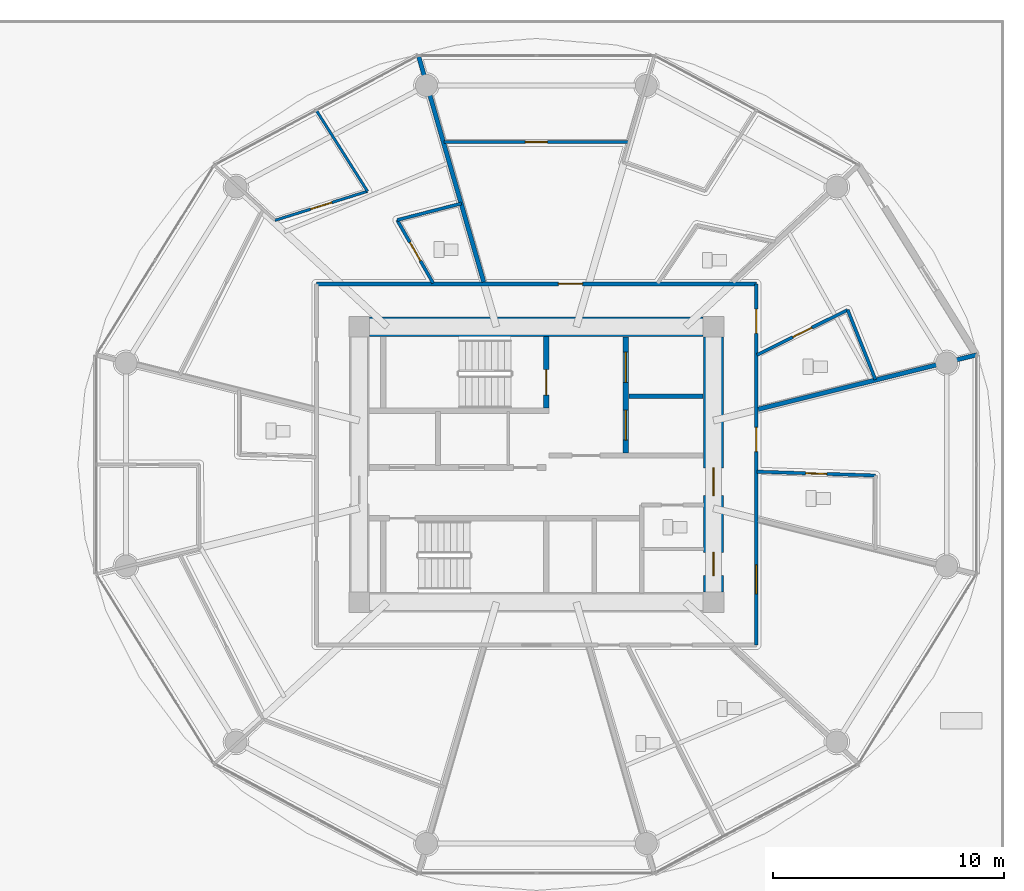
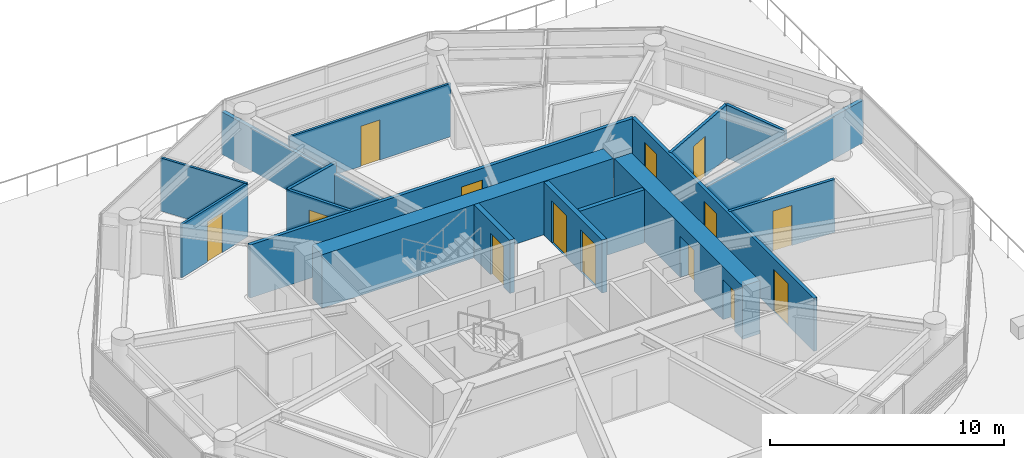
# One storey, part 19 of 32: 17 walls, 14 doors, 14 openings.
"""IFC4 building model written with IfcOpenShell, lengths in metres."""

from ifc_helpers import new_model, si_unit, direction, frame, frame_2d, origin, place, context, subcontext, project, spatial, rectangle, extrude, source, transform, mapped, material, layer, layer_set, type_object, type_shapes, element, fill, save


model = new_model("IFC4")

# Units and contexts
model_context = context("Model", 3, precision=1e-05, world=origin(), true_north=direction((0.0, 1.0)))
body_context = subcontext(model_context, "Body", "Model", "MODEL_VIEW")
ifc_project = project(units=[si_unit("LENGTHUNIT", "METRE"), si_unit("AREAUNIT", "SQUARE_METRE"), si_unit("VOLUMEUNIT", "CUBIC_METRE"), si_unit("PLANEANGLEUNIT", "RADIAN"), si_unit("MASSUNIT", "GRAM", prefix="KILO")], contexts=[model_context])

# Site, building, storey
site_placement = place(None, origin())
site = spatial("IfcSite", under=ifc_project, at=site_placement, CompositionType="ELEMENT")
building_placement = place(site_placement, origin())
building = spatial("IfcBuilding", under=site, at=building_placement, Name="Norrkilde Senior Care Towers", CompositionType="ELEMENT")
storey_placement = place(building_placement, frame((0.0, 0.0, 21.60009765625)))
storey = spatial("IfcBuildingStorey", under=building, at=storey_placement, Name="L05", CompositionType="ELEMENT", Elevation=21.60009765625)

# Wall
ifc_material_1 = material(Name="Concrete C60/75", Category="concrete")
ifc_layer_1 = layer(ifc_material_1, 0.85009765625)
ifc_layer_set_1 = layer_set([ifc_layer_1], Name="Concrete C60/75")
wall_type_1 = type_object("IfcWallType", Name="Core Shear Wall Z1 850", PredefinedType="SHEAR", material=ifc_layer_set_1)
shared_shape_1 = source(origin(), body_context, "Body", "SweptSolid", [
    extrude(rectangle(XDim=14.39990234375, YDim=0.85009765625, at=frame_2d((7.199951171875, 0.0))), origin(), (0.0, 0.0, 1.0), 2.789794921875),
])
wall_1_placement = place(storey_placement, frame((20.800048828125, 5.949951171875, 0.0), z_axis=(0.0, 0.0, 1.0), x_axis=(1.0, 0.0, 0.0)))
element("IfcWall", 1, at=wall_1_placement, inside=storey, type_object=wall_type_1, Name="L05 Core E North Shear Wall", PredefinedType="SHEAR", context=body_context, shape_type="MappedRepresentation", body=[
    mapped(shared_shape_1, transform((0.0, 0.0, 0.0), x_axis=(1.0, 0.0, 0.0), y_axis=(0.0, 1.0, 0.0), z_axis=(0.0, 0.0, 1.0), scale=1.0)),
])

# Wall, openings, doors
shared_shape_2 = source(origin(), body_context, "Body", "SweptSolid", [
    extrude(rectangle(XDim=11.0, YDim=0.85009765625, at=frame_2d((5.5, 0.0))), origin(), (0.0, 0.0, 1.0), 2.789794921875),
])
type_shapes(wall_type_1, [shared_shape_1, shared_shape_2])
wall_2_placement = place(storey_placement, frame((35.64990234375, 5.5, 0.0), z_axis=(0.0, 0.0, 1.0), x_axis=(0.0, -1.0, 0.0)))
wall_2 = element("IfcWall", 2, at=wall_2_placement, inside=storey, type_object=wall_type_1, Name="L05 Core E East Shear Wall", PredefinedType="SHEAR", context=body_context, shape_type="MappedRepresentation", body=[
    mapped(shared_shape_2, transform((0.0, 0.0, 0.0), x_axis=(1.0, 0.0, 0.0), y_axis=(0.0, 1.0, 0.0), z_axis=(0.0, 0.0, 1.0), scale=1.0)),
])
opening_1_placement = place(wall_2_placement, frame((5.64990234375, 0.0, 0.0)))
opening_1 = element("IfcOpeningElement", 3, at=opening_1_placement, cuts=wall_2, Name="Opening D-04", PredefinedType="OPENING", context=body_context, shape_type="SweptSolid", body=[
    extrude(rectangle(XDim=1.199951171875, YDim=2.14990234375, at=frame_2d((0.60009765625, 1.074951171875))), frame((0.0, 0.43505859375, 0.0), z_axis=(0.0, -1.0, 0.0), x_axis=(1.0, 0.0, 0.0)), (0.0, 0.0, 1.0), 0.8701171875),
])
opening_2_placement = place(wall_2_placement, frame((9.300048828125, 0.0, 0.0)))
opening_2 = element("IfcOpeningElement", 4, at=opening_2_placement, cuts=wall_2, Name="Opening D-10", PredefinedType="OPENING", context=body_context, shape_type="SweptSolid", body=[
    extrude(rectangle(XDim=1.0, YDim=2.10009765625, at=frame_2d((0.5, 1.050048828125))), frame((0.0, 0.43505859375, 0.0), z_axis=(0.0, -1.0, 0.0), x_axis=(1.0, 0.0, 0.0)), (0.0, 0.0, 1.0), 0.8701171875),
])
ifc_material_2 = material(Name="Galvanised Painted Steel", Category="steel")
door_type_1 = type_object("IfcDoorType", Name="Firefighting Lobby Fire Door 1200x2150", OperationType="NOTDEFINED", PredefinedType="DOOR", material=ifc_material_2)
shared_shape_3 = source(origin(), body_context, "Body", "SweptSolid", [
    extrude(rectangle(XDim=1.199951171875, YDim=2.14990234375, at=frame_2d((0.60009765625, 1.074951171875))), frame((0.0, 0.02490234375, 0.0), z_axis=(0.0, -1.0, 0.0), x_axis=(1.0, 0.0, 0.0)), (0.0, 0.0, 1.0), 0.050048828125),
])
type_shapes(door_type_1, [shared_shape_3])
door_1_placement = place(opening_1_placement, frame((1.199951171875, 0.0, 0.0), z_axis=(0.0, 0.0, 1.0), x_axis=(-1.0, 0.0, 0.0)))
door_1 = element("IfcDoor", 5, at=door_1_placement, inside=storey, type_object=door_type_1, Name="L05 Core E East Portal Door", OperationType="SINGLE_SWING_RIGHT", OverallHeight=2.14990234375, OverallWidth=1.199951171875, PredefinedType="DOOR", context=body_context, shape_type="MappedRepresentation", body=[
    mapped(shared_shape_3, transform((0.0, 0.0, 0.0), x_axis=(1.0, 0.0, 0.0), y_axis=(0.0, 1.0, 0.0), z_axis=(0.0, 0.0, 1.0), scale=1.0)),
])
fill(opening_1, door_1)
door_type_2 = type_object("IfcDoorType", Name="Plant and Riser Rated Door 1000x2100", OperationType="NOTDEFINED", PredefinedType="DOOR", material=ifc_material_2)
shared_shape_4 = source(origin(), body_context, "Body", "SweptSolid", [
    extrude(rectangle(XDim=1.0, YDim=2.10009765625, at=frame_2d((0.5, 1.050048828125))), frame((0.0, 0.02490234375, 0.0), z_axis=(0.0, -1.0, 0.0), x_axis=(1.0, 0.0, 0.0)), (0.0, 0.0, 1.0), 0.050048828125),
])
type_shapes(door_type_2, [shared_shape_4])
door_2_placement = place(opening_2_placement, frame((1.0, 0.0, 0.0), z_axis=(0.0, 0.0, 1.0), x_axis=(-1.0, 0.0, 0.0)))
door_2 = element("IfcDoor", 6, at=door_2_placement, inside=storey, type_object=door_type_2, Name="L05 Ventilation Riser E Door", OperationType="SINGLE_SWING_RIGHT", OverallHeight=2.10009765625, OverallWidth=1.0, PredefinedType="DOOR", context=body_context, shape_type="MappedRepresentation", body=[
    mapped(shared_shape_4, transform((0.0, 0.0, 0.0), x_axis=(1.0, 0.0, 0.0), y_axis=(0.0, 1.0, 0.0), z_axis=(0.0, 0.0, 1.0), scale=1.0)),
])
fill(opening_2, door_2)

# Wall, opening, door
ifc_material_3 = material(Name="Concrete C45/55", Category="concrete")
ifc_layer_2 = layer(ifc_material_3, 0.239990234375)
ifc_layer_set_2 = layer_set([ifc_layer_2], Name="Concrete C45/55")
wall_type_2 = type_object("IfcWallType", Name="Shaft and Stair Enclosure Wall 240", PredefinedType="PARTITIONING", material=ifc_layer_set_2)
shared_shape_5 = source(origin(), body_context, "Body", "SweptSolid", [
    extrude(rectangle(XDim=3.074951171875, YDim=0.239990234375, at=frame_2d((1.53759765625, 0.0))), origin(), (0.0, 0.0, 1.0), 2.789794921875),
])
type_shapes(wall_type_2, [shared_shape_5])
wall_3_placement = place(storey_placement, frame((28.419921875, 2.449951171875, 0.0), z_axis=(0.0, 0.0, 1.0), x_axis=(0.0, 1.0, 0.0)))
wall_3 = element("IfcWall", 7, at=wall_3_placement, inside=storey, type_object=wall_type_2, Name="WL-INT-L05-E-ST1E", PredefinedType="PARTITIONING", context=body_context, shape_type="MappedRepresentation", body=[
    mapped(shared_shape_5, transform((0.0, 0.0, 0.0), x_axis=(1.0, 0.0, 0.0), y_axis=(0.0, 1.0, 0.0), z_axis=(0.0, 0.0, 1.0), scale=1.0)),
])
opening_3_placement = place(wall_3_placement, frame((0.550048828125, 0.0, 0.0)))
opening_3 = element("IfcOpeningElement", 8, at=opening_3_placement, cuts=wall_3, Name="Opening D-03", PredefinedType="OPENING", context=body_context, shape_type="SweptSolid", body=[
    extrude(rectangle(XDim=1.10009765625, YDim=2.14990234375, at=frame_2d((0.550048828125, 1.074951171875))), frame((0.0, 0.1298828125, 0.0), z_axis=(0.0, -1.0, 0.0), x_axis=(1.0, 0.0, 0.0)), (0.0, 0.0, 1.0), 0.260009765625),
])
door_type_3 = type_object("IfcDoorType", Name="Stairwell Protected Fire Door 1100x2150", OperationType="NOTDEFINED", PredefinedType="DOOR", material=ifc_material_2)
shared_shape_6 = source(origin(), body_context, "Body", "SweptSolid", [
    extrude(rectangle(XDim=1.10009765625, YDim=2.14990234375, at=frame_2d((0.550048828125, 1.074951171875))), frame((0.0, 0.02490234375, 0.0), z_axis=(0.0, -1.0, 0.0), x_axis=(1.0, 0.0, 0.0)), (0.0, 0.0, 1.0), 0.050048828125),
])
type_shapes(door_type_3, [shared_shape_6])
door_3_placement = place(opening_3_placement, origin())
door_3 = element("IfcDoor", 9, at=door_3_placement, inside=storey, type_object=door_type_3, Name="L05 Stair E1 Fire Door", OperationType="SINGLE_SWING_LEFT", OverallHeight=2.14990234375, OverallWidth=1.10009765625, PredefinedType="DOOR", context=body_context, shape_type="MappedRepresentation", body=[
    mapped(shared_shape_6, transform((0.0, 0.0, 0.0), x_axis=(1.0, 0.0, 0.0), y_axis=(0.0, 1.0, 0.0), z_axis=(0.0, 0.0, 1.0), scale=1.0)),
])
fill(opening_3, door_3)

# Wall, openings, doors
ifc_layer_3 = layer(ifc_material_3, 0.239990234375)
ifc_layer_set_3 = layer_set([ifc_layer_3], Name="Concrete C45/55")
wall_type_3 = type_object("IfcWallType", Name="Lift and Plant Rated Enclosure Partition 240", PredefinedType="PARTITIONING", material=ifc_layer_set_3)
shared_shape_7 = source(origin(), body_context, "Body", "SweptSolid", [
    extrude(rectangle(XDim=5.0, YDim=0.239990234375, at=frame_2d((2.5, 0.0))), origin(), (0.0, 0.0, 1.0), 2.77490234375),
])
type_shapes(wall_type_3, [shared_shape_7])
wall_4_placement = place(storey_placement, frame((31.860107421875, 0.5, 0.0), z_axis=(0.0, 0.0, 1.0), x_axis=(0.0, 1.0, 0.0)))
wall_4 = element("IfcWall", 10, at=wall_4_placement, inside=storey, type_object=wall_type_3, Name="WL-INT-L05-E-FFLE", PredefinedType="PARTITIONING", context=body_context, shape_type="MappedRepresentation", body=[
    mapped(shared_shape_7, transform((0.0, 0.0, 0.0), x_axis=(1.0, 0.0, 0.0), y_axis=(0.0, 1.0, 0.0), z_axis=(0.0, 0.0, 1.0), scale=1.0)),
])
opening_4_placement = place(wall_4_placement, frame((3.050048828125, 0.0, 0.0)))
opening_4 = element("IfcOpeningElement", 11, at=opening_4_placement, cuts=wall_4, Name="Opening LD-02", PredefinedType="OPENING", context=body_context, shape_type="SweptSolid", body=[
    extrude(rectangle(XDim=1.300048828125, YDim=2.199951171875, at=frame_2d((0.64990234375, 1.10009765625))), frame((0.0, 0.1298828125, 0.0), z_axis=(0.0, -1.0, 0.0), x_axis=(1.0, 0.0, 0.0)), (0.0, 0.0, 1.0), 0.260009765625),
])
opening_5_placement = place(wall_4_placement, frame((0.550048828125, 0.0, 0.0)))
opening_5 = element("IfcOpeningElement", 12, at=opening_5_placement, cuts=wall_4, Name="Opening LD-02", PredefinedType="OPENING", context=body_context, shape_type="SweptSolid", body=[
    extrude(rectangle(XDim=1.300048828125, YDim=2.199951171875, at=frame_2d((0.64990234375, 1.10009765625))), frame((0.0, 0.1298828125, 0.0), z_axis=(0.0, -1.0, 0.0), x_axis=(1.0, 0.0, 0.0)), (0.0, 0.0, 1.0), 0.260009765625),
])
ifc_material_4 = material(Name="Stainless Steel", Category="steel")
door_type_4 = type_object("IfcDoorType", Name="Stretcher and FFL Landing Sliding Door 1300x2200", OperationType="NOTDEFINED", PredefinedType="DOOR", material=ifc_material_4)
shared_shape_8 = source(origin(), body_context, "Body", "SweptSolid", [
    extrude(rectangle(XDim=1.300048828125, YDim=2.199951171875, at=frame_2d((0.64990234375, 1.10009765625))), frame((0.0, 0.02490234375, 0.0), z_axis=(0.0, -1.0, 0.0), x_axis=(1.0, 0.0, 0.0)), (0.0, 0.0, 1.0), 0.050048828125),
])
type_shapes(door_type_4, [shared_shape_8])
door_4_placement = place(opening_4_placement, origin())
door_4 = element("IfcDoor", 13, at=door_4_placement, inside=storey, type_object=door_type_4, Name="L05 Firefighting Lift E1 Landing Door", OperationType="SLIDING_TO_LEFT", OverallHeight=2.199951171875, OverallWidth=1.300048828125, PredefinedType="DOOR", context=body_context, shape_type="MappedRepresentation", body=[
    mapped(shared_shape_8, transform((0.0, 0.0, 0.0), x_axis=(1.0, 0.0, 0.0), y_axis=(0.0, 1.0, 0.0), z_axis=(0.0, 0.0, 1.0), scale=1.0)),
])
fill(opening_4, door_4)
door_5_placement = place(opening_5_placement, origin())
door_5 = element("IfcDoor", 14, at=door_5_placement, inside=storey, type_object=door_type_4, Name="L05 Stretcher Lift E1 Landing Door", OperationType="SLIDING_TO_RIGHT", OverallHeight=2.199951171875, OverallWidth=1.300048828125, PredefinedType="DOOR", context=body_context, shape_type="MappedRepresentation", body=[
    mapped(shared_shape_8, transform((0.0, 0.0, 0.0), x_axis=(1.0, 0.0, 0.0), y_axis=(0.0, 1.0, 0.0), z_axis=(0.0, 0.0, 1.0), scale=1.0)),
])
fill(opening_5, door_5)

# Wall
ifc_layer_4 = layer(ifc_material_3, 0.199951171875)
ifc_layer_set_4 = layer_set([ifc_layer_4], Name="Concrete C45/55")
wall_type_4 = type_object("IfcWallType", Name="Shaft Division and Plant Partition 200", PredefinedType="PARTITIONING", material=ifc_layer_set_4)
shared_shape_9 = source(origin(), body_context, "Body", "SweptSolid", [
    extrude(rectangle(XDim=3.199951171875, YDim=0.199951171875, at=frame_2d((1.60009765625, 0.0))), origin(), (0.0, 0.0, 1.0), 2.77490234375),
])
type_shapes(wall_type_4, [shared_shape_9])
wall_5_placement = place(storey_placement, frame((32.0, 2.949951171875, 0.0), z_axis=(0.0, 0.0, 1.0), x_axis=(1.0, 0.0, 0.0)))
element("IfcWall", 15, at=wall_5_placement, inside=storey, type_object=wall_type_4, Name="WL-INT-L05-E-FFLDIV", PredefinedType="PARTITIONING", context=body_context, shape_type="MappedRepresentation", body=[
    mapped(shared_shape_9, transform((0.0, 0.0, 0.0), x_axis=(1.0, 0.0, 0.0), y_axis=(0.0, 1.0, 0.0), z_axis=(0.0, 0.0, 1.0), scale=1.0)),
])

# Wall, opening, door
ifc_material_5 = material(Name="Gypsum Acoustic Board")
ifc_layer_5 = layer(ifc_material_5, 0.1650390625)
ifc_layer_set_5 = layer_set([ifc_layer_5], Name="Gypsum Acoustic Board")
wall_type_5 = type_object("IfcWallType", Name="Corridor Rated Partition 165", PredefinedType="PARTITIONING", material=ifc_layer_set_5)
shared_shape_10 = source(origin(), body_context, "Body", "SweptSolid", [
    extrude(rectangle(XDim=19.0, YDim=0.1650390625, at=frame_2d((9.5, 0.0))), origin(), (0.0, 0.0, 1.0), 2.77490234375),
])
wall_6_placement = place(storey_placement, frame((18.5, 7.800048828125, 0.0), z_axis=(0.0, 0.0, 1.0), x_axis=(1.0, 0.0, 0.0)))
wall_6 = element("IfcWall", 16, at=wall_6_placement, inside=storey, type_object=wall_type_5, Name="WL-INT-L05-E-CRW-N-0", PredefinedType="PARTITIONING", context=body_context, shape_type="MappedRepresentation", body=[
    mapped(shared_shape_10, transform((0.0, 0.0, 0.0), x_axis=(1.0, 0.0, 0.0), y_axis=(0.0, 1.0, 0.0), z_axis=(0.0, 0.0, 1.0), scale=1.0)),
])
opening_6_placement = place(wall_6_placement, frame((10.4482421875, 0.0, 0.0)))
opening_6 = element("IfcOpeningElement", 17, at=opening_6_placement, cuts=wall_6, Name="Opening D-06", PredefinedType="OPENING", context=body_context, shape_type="SweptSolid", body=[
    extrude(rectangle(XDim=1.050048828125, YDim=2.14990234375, at=frame_2d((0.52490234375, 1.074951171875))), frame((0.0, 0.092529296875, 0.0), z_axis=(0.0, -1.0, 0.0), x_axis=(1.0, 0.0, 0.0)), (0.0, 0.0, 1.0), 0.18505859375),
])
ifc_material_6 = material(Name="Nordic Ash Timber", Category="wood")
door_type_5 = type_object("IfcDoorType", Name="Apartment Entrance Fire Door 1050x2150", OperationType="NOTDEFINED", PredefinedType="DOOR", material=ifc_material_6)
shared_shape_11 = source(origin(), body_context, "Body", "SweptSolid", [
    extrude(rectangle(XDim=1.050048828125, YDim=2.14990234375, at=frame_2d((0.52490234375, 1.074951171875))), frame((0.0, 0.02490234375, 0.0), z_axis=(0.0, -1.0, 0.0), x_axis=(1.0, 0.0, 0.0)), (0.0, 0.0, 1.0), 0.050048828125),
])
type_shapes(door_type_5, [shared_shape_11])
door_6_placement = place(opening_6_placement, frame((1.050048828125, 0.0, 0.0), z_axis=(0.0, 0.0, 1.0), x_axis=(-1.0, 0.0, 0.0)))
door_6 = element("IfcDoor", 18, at=door_6_placement, inside=storey, type_object=door_type_5, Name="Apartment 05A Entrance Door", OperationType="SINGLE_SWING_RIGHT", OverallHeight=2.14990234375, OverallWidth=1.050048828125, PredefinedType="DOOR", context=body_context, shape_type="MappedRepresentation", body=[
    mapped(shared_shape_11, transform((0.0, 0.0, 0.0), x_axis=(1.0, 0.0, 0.0), y_axis=(0.0, 1.0, 0.0), z_axis=(0.0, 0.0, 1.0), scale=1.0)),
])
fill(opening_6, door_6)

# Wall, openings, doors
shared_shape_12 = source(origin(), body_context, "Body", "SweptSolid", [
    extrude(rectangle(XDim=15.60009765625, YDim=0.1650390625, at=frame_2d((7.800048828125, 0.0))), origin(), (0.0, 0.0, 1.0), 2.77490234375),
])
type_shapes(wall_type_5, [shared_shape_10, shared_shape_12])
wall_7_placement = place(storey_placement, frame((37.5, 7.800048828125, 0.0), z_axis=(0.0, 0.0, 1.0), x_axis=(0.0, -1.0, 0.0)))
wall_7 = element("IfcWall", 19, at=wall_7_placement, inside=storey, type_object=wall_type_5, Name="WL-INT-L05-E-CRW-E-0", PredefinedType="PARTITIONING", context=body_context, shape_type="MappedRepresentation", body=[
    mapped(shared_shape_12, transform((0.0, 0.0, 0.0), x_axis=(1.0, 0.0, 0.0), y_axis=(0.0, 1.0, 0.0), z_axis=(0.0, 0.0, 1.0), scale=1.0)),
])
opening_7_placement = place(wall_7_placement, frame((12.141357421875, 0.0, 0.0)))
opening_7 = element("IfcOpeningElement", 20, at=opening_7_placement, cuts=wall_7, Name="Opening D-05", PredefinedType="OPENING", context=body_context, shape_type="SweptSolid", body=[
    extrude(rectangle(XDim=1.25, YDim=2.199951171875, at=frame_2d((0.625, 1.10009765625))), frame((0.0, 0.092529296875, 0.0), z_axis=(0.0, -1.0, 0.0), x_axis=(1.0, 0.0, 0.0)), (0.0, 0.0, 1.0), 0.18505859375),
])
opening_8_placement = place(wall_7_placement, frame((6.19580078125, 0.0, 0.0)))
opening_8 = element("IfcOpeningElement", 21, at=opening_8_placement, cuts=wall_7, Name="Opening D-06", PredefinedType="OPENING", context=body_context, shape_type="SweptSolid", body=[
    extrude(rectangle(XDim=1.050048828125, YDim=2.14990234375, at=frame_2d((0.52490234375, 1.074951171875))), frame((0.0, 0.092529296875, 0.0), z_axis=(0.0, -1.0, 0.0), x_axis=(1.0, 0.0, 0.0)), (0.0, 0.0, 1.0), 0.18505859375),
])
opening_9_placement = place(wall_7_placement, frame((1.091796875, 0.0, 0.0)))
opening_9 = element("IfcOpeningElement", 22, at=opening_9_placement, cuts=wall_7, Name="Opening D-06", PredefinedType="OPENING", context=body_context, shape_type="SweptSolid", body=[
    extrude(rectangle(XDim=1.050048828125, YDim=2.14990234375, at=frame_2d((0.52490234375, 1.074951171875))), frame((0.0, 0.092529296875, 0.0), z_axis=(0.0, -1.0, 0.0), x_axis=(1.0, 0.0, 0.0)), (0.0, 0.0, 1.0), 0.18505859375),
])
door_type_6 = type_object("IfcDoorType", Name="Care Bedroom Bariatric Door 1250x2200", OperationType="NOTDEFINED", PredefinedType="DOOR", material=ifc_material_6)
shared_shape_13 = source(origin(), body_context, "Body", "SweptSolid", [
    extrude(rectangle(XDim=1.25, YDim=2.199951171875, at=frame_2d((0.625, 1.10009765625))), frame((0.0, 0.02490234375, 0.0), z_axis=(0.0, -1.0, 0.0), x_axis=(1.0, 0.0, 0.0)), (0.0, 0.0, 1.0), 0.050048828125),
])
type_shapes(door_type_6, [shared_shape_13])
door_7_placement = place(opening_7_placement, frame((1.25, 0.0, 0.0), z_axis=(0.0, 0.0, 1.0), x_axis=(-1.0, 0.0, 0.0)))
door_7 = element("IfcDoor", 23, at=door_7_placement, inside=storey, type_object=door_type_6, Name="L05 Care Coordination Charting Office Door", OperationType="SINGLE_SWING_LEFT", OverallHeight=2.199951171875, OverallWidth=1.25, PredefinedType="DOOR", context=body_context, shape_type="MappedRepresentation", body=[
    mapped(shared_shape_13, transform((0.0, 0.0, 0.0), x_axis=(1.0, 0.0, 0.0), y_axis=(0.0, 1.0, 0.0), z_axis=(0.0, 0.0, 1.0), scale=1.0)),
])
fill(opening_7, door_7)
door_8_placement = place(opening_8_placement, frame((1.050048828125, 0.0, 0.0), z_axis=(0.0, 0.0, 1.0), x_axis=(-1.0, 0.0, 0.0)))
door_8 = element("IfcDoor", 24, at=door_8_placement, inside=storey, type_object=door_type_5, Name="L05 Studio 05G Entrance Door", OperationType="SINGLE_SWING_LEFT", OverallHeight=2.14990234375, OverallWidth=1.050048828125, PredefinedType="DOOR", context=body_context, shape_type="MappedRepresentation", body=[
    mapped(shared_shape_11, transform((0.0, 0.0, 0.0), x_axis=(1.0, 0.0, 0.0), y_axis=(0.0, 1.0, 0.0), z_axis=(0.0, 0.0, 1.0), scale=1.0)),
])
fill(opening_8, door_8)
door_9_placement = place(opening_9_placement, frame((1.050048828125, 0.0, 0.0), z_axis=(0.0, 0.0, 1.0), x_axis=(-1.0, 0.0, 0.0)))
door_9 = element("IfcDoor", 25, at=door_9_placement, inside=storey, type_object=door_type_5, Name="L05 Studio 05H Entrance Door", OperationType="SINGLE_SWING_RIGHT", OverallHeight=2.14990234375, OverallWidth=1.050048828125, PredefinedType="DOOR", context=body_context, shape_type="MappedRepresentation", body=[
    mapped(shared_shape_11, transform((0.0, 0.0, 0.0), x_axis=(1.0, 0.0, 0.0), y_axis=(0.0, 1.0, 0.0), z_axis=(0.0, 0.0, 1.0), scale=1.0)),
])
fill(opening_9, door_9)

# Walls
ifc_layer_6 = layer(ifc_material_5, 0.18994140625)
ifc_layer_set_6 = layer_set([ifc_layer_6], Name="Gypsum Acoustic Board")
wall_type_6 = type_object("IfcWallType", Name="Unit Demising Acoustic Wall 190", PredefinedType="PARTITIONING", material=ifc_layer_set_6)
shared_shape_14 = source(origin(), body_context, "Body", "SweptSolid", [
    extrude(rectangle(XDim=10.196044921875, YDim=0.18994140625, at=frame_2d((5.09814453125, 0.0))), origin(), (0.0, 0.0, 1.0), 2.224853515625),
])
wall_8_placement = place(storey_placement, frame((25.72705078125, 7.8798828125, 0.0), z_axis=(0.0, 0.0, 1.0), x_axis=(-0.277136420347, 0.960830580549, 0.0)))
element("IfcWall", 26, at=wall_8_placement, inside=storey, type_object=wall_type_6, Name="WL-INT-L05-E-DEM-03-0", PredefinedType="PARTITIONING", context=body_context, shape_type="MappedRepresentation", body=[
    mapped(shared_shape_14, transform((0.0, 0.0, 0.0), x_axis=(1.0, 0.0, 0.0), y_axis=(0.0, 1.0, 0.0), z_axis=(0.0, 0.0, 1.0), scale=1.0)),
])
shared_shape_15 = source(origin(), body_context, "Body", "SweptSolid", [
    extrude(rectangle(XDim=9.737060546875, YDim=0.18994140625, at=frame_2d((4.86865234375, 0.0))), origin(), (0.0, 0.0, 1.0), 2.224853515625),
])
type_shapes(wall_type_6, [shared_shape_14, shared_shape_15])
wall_9_placement = place(storey_placement, frame((37.580078125, 2.384521484375, 0.0), z_axis=(0.0, 0.0, 1.0), x_axis=(0.970392716238, 0.241532557375, 0.0)))
element("IfcWall", 27, at=wall_9_placement, inside=storey, type_object=wall_type_6, Name="WL-INT-L05-E-DEM-00-0", PredefinedType="PARTITIONING", context=body_context, shape_type="MappedRepresentation", body=[
    mapped(shared_shape_15, transform((0.0, 0.0, 0.0), x_axis=(1.0, 0.0, 0.0), y_axis=(0.0, 1.0, 0.0), z_axis=(0.0, 0.0, 1.0), scale=1.0)),
])

# Wall, opening, door
ifc_layer_7 = layer(ifc_material_5, 0.114990234375)
ifc_layer_set_7 = layer_set([ifc_layer_7], Name="Gypsum Acoustic Board")
wall_type_7 = type_object("IfcWallType", Name="Internal Room Partition 115", PredefinedType="PARTITIONING", material=ifc_layer_set_7)
shared_shape_16 = source(origin(), body_context, "Body", "SweptSolid", [
    extrude(rectangle(XDim=7.99267578125, YDim=0.114990234375, at=frame_2d((3.996337890625, 0.0))), origin(), (0.0, 0.0, 1.0), 2.77490234375),
])
wall_10_placement = place(storey_placement, frame((31.996337890625, 13.927001953125, 0.0), z_axis=(0.0, 0.0, 1.0), x_axis=(-1.0, 0.0, 0.0)))
wall_10 = element("IfcWall", 28, at=wall_10_placement, inside=storey, type_object=wall_type_7, Name="WL-INT-L05-E-UBC-01-1", PredefinedType="PARTITIONING", context=body_context, shape_type="MappedRepresentation", body=[
    mapped(shared_shape_16, transform((0.0, 0.0, 0.0), x_axis=(1.0, 0.0, 0.0), y_axis=(0.0, 1.0, 0.0), z_axis=(0.0, 0.0, 1.0), scale=1.0)),
])
opening_10_placement = place(wall_10_placement, frame((3.521484375, 0.0, 0.0)))
opening_10 = element("IfcOpeningElement", 29, at=opening_10_placement, cuts=wall_10, Name="Opening D-07", PredefinedType="OPENING", context=body_context, shape_type="SweptSolid", body=[
    extrude(rectangle(XDim=0.949951171875, YDim=2.10009765625, at=frame_2d((0.47509765625, 1.050048828125))), frame((0.0, 0.0673828125, 0.0), z_axis=(0.0, -1.0, 0.0), x_axis=(1.0, 0.0, 0.0)), (0.0, 0.0, 1.0), 0.135009765625),
])
door_type_7 = type_object("IfcDoorType", Name="Internal Suite Bedroom Door 950x2100", OperationType="NOTDEFINED", PredefinedType="DOOR", material=ifc_material_6)
shared_shape_17 = source(origin(), body_context, "Body", "SweptSolid", [
    extrude(rectangle(XDim=0.949951171875, YDim=2.10009765625, at=frame_2d((0.47509765625, 1.050048828125))), frame((0.0, 0.02490234375, 0.0), z_axis=(0.0, -1.0, 0.0), x_axis=(1.0, 0.0, 0.0)), (0.0, 0.0, 1.0), 0.050048828125),
])
type_shapes(door_type_7, [shared_shape_17])
door_10_placement = place(opening_10_placement, origin())
door_10 = element("IfcDoor", 30, at=door_10_placement, inside=storey, type_object=door_type_7, Name="Apartment 05A Bedroom 1 Door", OperationType="SINGLE_SWING_LEFT", OverallHeight=2.10009765625, OverallWidth=0.949951171875, PredefinedType="DOOR", context=body_context, shape_type="MappedRepresentation", body=[
    mapped(shared_shape_17, transform((0.0, 0.0, 0.0), x_axis=(1.0, 0.0, 0.0), y_axis=(0.0, 1.0, 0.0), z_axis=(0.0, 0.0, 1.0), scale=1.0)),
])
fill(opening_10, door_10)

# Wall
shared_shape_18 = source(origin(), body_context, "Body", "SweptSolid", [
    extrude(rectangle(XDim=4.150390625, YDim=0.114990234375, at=frame_2d((2.0751953125, 0.0))), origin(), (0.0, 0.0, 1.0), 2.77490234375),
])
wall_11_placement = place(storey_placement, frame((20.703857421875, 11.800537109375, 0.0), z_axis=(0.0, 0.0, 1.0), x_axis=(-0.534475378192, 0.845184045109, 0.0)))
element("IfcWall", 31, at=wall_11_placement, inside=storey, type_object=wall_type_7, Name="WL-INT-L05-E-UKTS-03", PredefinedType="PARTITIONING", context=body_context, shape_type="MappedRepresentation", body=[
    mapped(shared_shape_18, transform((0.0, 0.0, 0.0), x_axis=(1.0, 0.0, 0.0), y_axis=(0.0, 1.0, 0.0), z_axis=(0.0, 0.0, 1.0), scale=1.0)),
])

# Wall, opening, door
ifc_layer_8 = layer(ifc_material_5, 0.139892578125)
ifc_layer_set_8 = layer_set([ifc_layer_8], Name="Gypsum Acoustic Board")
wall_type_8 = type_object("IfcWallType", Name="En-suite Wet Room Wall 140", PredefinedType="PARTITIONING", material=ifc_layer_set_8)
shared_shape_19 = source(origin(), body_context, "Body", "SweptSolid", [
    extrude(rectangle(XDim=3.14111328125, YDim=0.139892578125, at=frame_2d((1.570556640625, 0.0))), origin(), (0.0, 0.0, 1.0), 2.77490234375),
])
wall_12_placement = place(storey_placement, frame((23.54150390625, 7.830078125, 0.0), z_axis=(0.0, 0.0, 1.0), x_axis=(-0.494874486088, 0.868964465913, 0.0)))
wall_12 = element("IfcWall", 32, at=wall_12_placement, inside=storey, type_object=wall_type_8, Name="WL-INT-L05-E-UBTS-03", PredefinedType="PARTITIONING", context=body_context, shape_type="MappedRepresentation", body=[
    mapped(shared_shape_19, transform((0.0, 0.0, 0.0), x_axis=(1.0, 0.0, 0.0), y_axis=(0.0, 1.0, 0.0), z_axis=(0.0, 0.0, 1.0), scale=1.0)),
])
opening_11_placement = place(wall_12_placement, frame((1.110595703125, 0.0, 0.0)))
opening_11 = element("IfcOpeningElement", 33, at=opening_11_placement, cuts=wall_12, Name="Opening D-08", PredefinedType="OPENING", context=body_context, shape_type="SweptSolid", body=[
    extrude(rectangle(XDim=0.919921875, YDim=2.10009765625, at=frame_2d((0.4599609375, 1.050048828125))), frame((0.0, 0.079833984375, 0.0), z_axis=(0.0, -1.0, 0.0), x_axis=(1.0, 0.0, 0.0)), (0.0, 0.0, 1.0), 0.159912109375),
])
door_type_8 = type_object("IfcDoorType", Name="Accessible Wet Room Door 920x2100", OperationType="NOTDEFINED", PredefinedType="DOOR", material=ifc_material_6)
shared_shape_20 = source(origin(), body_context, "Body", "SweptSolid", [
    extrude(rectangle(XDim=0.919921875, YDim=2.10009765625, at=frame_2d((0.4599609375, 1.050048828125))), frame((0.0, 0.02490234375, 0.0), z_axis=(0.0, -1.0, 0.0), x_axis=(1.0, 0.0, 0.0)), (0.0, 0.0, 1.0), 0.050048828125),
])
type_shapes(door_type_8, [shared_shape_20])
door_11_placement = place(opening_11_placement, origin())
door_11 = element("IfcDoor", 34, at=door_11_placement, inside=storey, type_object=door_type_8, Name="Apartment 05B Bathroom Door", OperationType="SINGLE_SWING_LEFT", OverallHeight=2.10009765625, OverallWidth=0.919921875, PredefinedType="DOOR", context=body_context, shape_type="MappedRepresentation", body=[
    mapped(shared_shape_20, transform((0.0, 0.0, 0.0), x_axis=(1.0, 0.0, 0.0), y_axis=(0.0, 1.0, 0.0), z_axis=(0.0, 0.0, 1.0), scale=1.0)),
])
fill(opening_11, door_11)

# Wall
shared_shape_21 = source(origin(), body_context, "Body", "SweptSolid", [
    extrude(rectangle(XDim=2.8681640625, YDim=0.139892578125, at=frame_2d((1.43408203125, 0.0))), origin(), (0.0, 0.0, 1.0), 2.77490234375),
])
wall_13_placement = place(storey_placement, frame((21.987060546875, 10.5595703125, 0.0), z_axis=(0.0, 0.0, 1.0), x_axis=(0.968467705195, 0.249139125778, 0.0)))
element("IfcWall", 35, at=wall_13_placement, inside=storey, type_object=wall_type_8, Name="WL-INT-L05-E-UBTF-03", PredefinedType="PARTITIONING", context=body_context, shape_type="MappedRepresentation", body=[
    mapped(shared_shape_21, transform((0.0, 0.0, 0.0), x_axis=(1.0, 0.0, 0.0), y_axis=(0.0, 1.0, 0.0), z_axis=(0.0, 0.0, 1.0), scale=1.0)),
])

# Wall, opening, door
shared_shape_22 = source(origin(), body_context, "Body", "SweptSolid", [
    extrude(rectangle(XDim=4.18896484375, YDim=0.114990234375, at=frame_2d((2.094482421875, 0.0))), origin(), (0.0, 0.0, 1.0), 2.77490234375),
])
type_shapes(wall_type_7, [shared_shape_16, shared_shape_18, shared_shape_22])
wall_14_placement = place(storey_placement, frame((20.703857421875, 11.800537109375, 0.0), z_axis=(0.0, 0.0, 1.0), x_axis=(-0.954002766053, -0.299797802467, 0.0)))
wall_14 = element("IfcWall", 36, at=wall_14_placement, inside=storey, type_object=wall_type_7, Name="WL-INT-L05-E-UKTF-03", PredefinedType="PARTITIONING", context=body_context, shape_type="MappedRepresentation", body=[
    mapped(shared_shape_22, transform((0.0, 0.0, 0.0), x_axis=(1.0, 0.0, 0.0), y_axis=(0.0, 1.0, 0.0), z_axis=(0.0, 0.0, 1.0), scale=1.0)),
])
opening_12_placement = place(wall_14_placement, frame((1.619384765625, 0.0, 0.0)))
opening_12 = element("IfcOpeningElement", 37, at=opening_12_placement, cuts=wall_14, Name="Opening D-07", PredefinedType="OPENING", context=body_context, shape_type="SweptSolid", body=[
    extrude(rectangle(XDim=0.949951171875, YDim=2.10009765625, at=frame_2d((0.47509765625, 1.050048828125))), frame((0.0, 0.0673828125, 0.0), z_axis=(0.0, -1.0, 0.0), x_axis=(1.0, 0.0, 0.0)), (0.0, 0.0, 1.0), 0.135009765625),
])
door_12_placement = place(opening_12_placement, frame((0.949951171875, 0.0, 0.0), z_axis=(0.0, 0.0, 1.0), x_axis=(-1.0, 0.0, 0.0)))
door_12 = element("IfcDoor", 38, at=door_12_placement, inside=storey, type_object=door_type_7, Name="Apartment 05B Kitchen Door", OperationType="SINGLE_SWING_RIGHT", OverallHeight=2.10009765625, OverallWidth=0.949951171875, PredefinedType="DOOR", context=body_context, shape_type="MappedRepresentation", body=[
    mapped(shared_shape_17, transform((0.0, 0.0, 0.0), x_axis=(1.0, 0.0, 0.0), y_axis=(0.0, 1.0, 0.0), z_axis=(0.0, 0.0, 1.0), scale=1.0)),
])
fill(opening_12, door_12)

shared_shape_23 = source(origin(), body_context, "Body", "SweptSolid", [
    extrude(rectangle(XDim=5.127685546875, YDim=0.139892578125, at=frame_2d((2.56396484375, 0.0))), origin(), (0.0, 0.0, 1.0), 2.77490234375),
])
wall_15_placement = place(storey_placement, frame((37.530029296875, -0.310791015625, 0.0), z_axis=(0.0, 0.0, 1.0), x_axis=(0.999469568972, -0.032566557983, 0.0)))
wall_15 = element("IfcWall", 39, at=wall_15_placement, inside=storey, type_object=wall_type_8, Name="WL-INT-L05-E-ES-11", PredefinedType="PARTITIONING", context=body_context, shape_type="MappedRepresentation", body=[
    mapped(shared_shape_23, transform((0.0, 0.0, 0.0), x_axis=(1.0, 0.0, 0.0), y_axis=(0.0, 1.0, 0.0), z_axis=(0.0, 0.0, 1.0), scale=1.0)),
])
opening_13_placement = place(wall_15_placement, frame((2.10400390625, 0.0, 0.0)))
opening_13 = element("IfcOpeningElement", 40, at=opening_13_placement, cuts=wall_15, Name="Opening D-08", PredefinedType="OPENING", context=body_context, shape_type="SweptSolid", body=[
    extrude(rectangle(XDim=0.919921875, YDim=2.10009765625, at=frame_2d((0.4599609375, 1.050048828125))), frame((0.0, 0.079833984375, 0.0), z_axis=(0.0, -1.0, 0.0), x_axis=(1.0, 0.0, 0.0)), (0.0, 0.0, 1.0), 0.159912109375),
])
door_13_placement = place(opening_13_placement, origin())
door_13 = element("IfcDoor", 41, at=door_13_placement, inside=storey, type_object=door_type_8, Name="L05 Studio 05G Bathroom Door", OperationType="SINGLE_SWING_RIGHT", OverallHeight=2.10009765625, OverallWidth=0.919921875, PredefinedType="DOOR", context=body_context, shape_type="MappedRepresentation", body=[
    mapped(shared_shape_20, transform((0.0, 0.0, 0.0), x_axis=(1.0, 0.0, 0.0), y_axis=(0.0, 1.0, 0.0), z_axis=(0.0, 0.0, 1.0), scale=1.0)),
])
fill(opening_13, door_13)

shared_shape_24 = source(origin(), body_context, "Body", "SweptSolid", [
    extrude(rectangle(XDim=4.37353515625, YDim=0.139892578125, at=frame_2d((2.186767578125, 0.0))), origin(), (0.0, 0.0, 1.0), 2.77490234375),
])
wall_16_placement = place(storey_placement, frame((37.530029296875, 4.731689453125, 0.0), z_axis=(0.0, 0.0, 1.0), x_axis=(0.89568523908, 0.444688601714, 0.0)))
wall_16 = element("IfcWall", 42, at=wall_16_placement, inside=storey, type_object=wall_type_8, Name="WL-INT-L05-E-ES-00", PredefinedType="PARTITIONING", context=body_context, shape_type="MappedRepresentation", body=[
    mapped(shared_shape_24, transform((0.0, 0.0, 0.0), x_axis=(1.0, 0.0, 0.0), y_axis=(0.0, 1.0, 0.0), z_axis=(0.0, 0.0, 1.0), scale=1.0)),
])
opening_14_placement = place(wall_16_placement, frame((1.726806640625, 0.0, 0.0)))
opening_14 = element("IfcOpeningElement", 43, at=opening_14_placement, cuts=wall_16, Name="Opening D-08", PredefinedType="OPENING", context=body_context, shape_type="SweptSolid", body=[
    extrude(rectangle(XDim=0.919921875, YDim=2.10009765625, at=frame_2d((0.4599609375, 1.050048828125))), frame((0.0, 0.079833984375, 0.0), z_axis=(0.0, -1.0, 0.0), x_axis=(1.0, 0.0, 0.0)), (0.0, 0.0, 1.0), 0.159912109375),
])
door_14_placement = place(opening_14_placement, origin())
door_14 = element("IfcDoor", 44, at=door_14_placement, inside=storey, type_object=door_type_8, Name="L05 Studio 05H Bathroom Door", OperationType="SINGLE_SWING_LEFT", OverallHeight=2.10009765625, OverallWidth=0.919921875, PredefinedType="DOOR", context=body_context, shape_type="MappedRepresentation", body=[
    mapped(shared_shape_20, transform((0.0, 0.0, 0.0), x_axis=(1.0, 0.0, 0.0), y_axis=(0.0, 1.0, 0.0), z_axis=(0.0, 0.0, 1.0), scale=1.0)),
])
fill(opening_14, door_14)

# Wall
shared_shape_25 = source(origin(), body_context, "Body", "SweptSolid", [
    extrude(rectangle(XDim=3.241943359375, YDim=0.139892578125, at=frame_2d((1.62109375, 0.0))), origin(), (0.0, 0.0, 1.0), 2.77490234375),
])
type_shapes(wall_type_8, [shared_shape_19, shared_shape_21, shared_shape_23, shared_shape_24, shared_shape_25])
wall_17_placement = place(storey_placement, frame((41.447265625, 6.676513671875, 0.0), z_axis=(0.0, 0.0, 1.0), x_axis=(0.36984501862, -0.929093462576, 0.0)))
element("IfcWall", 45, at=wall_17_placement, inside=storey, type_object=wall_type_8, Name="WL-INT-L05-E-EF-00", PredefinedType="PARTITIONING", context=body_context, shape_type="MappedRepresentation", body=[
    mapped(shared_shape_25, transform((0.0, 0.0, 0.0), x_axis=(1.0, 0.0, 0.0), y_axis=(0.0, 1.0, 0.0), z_axis=(0.0, 0.0, 1.0), scale=1.0)),
])

save(model, "model.ifc")
